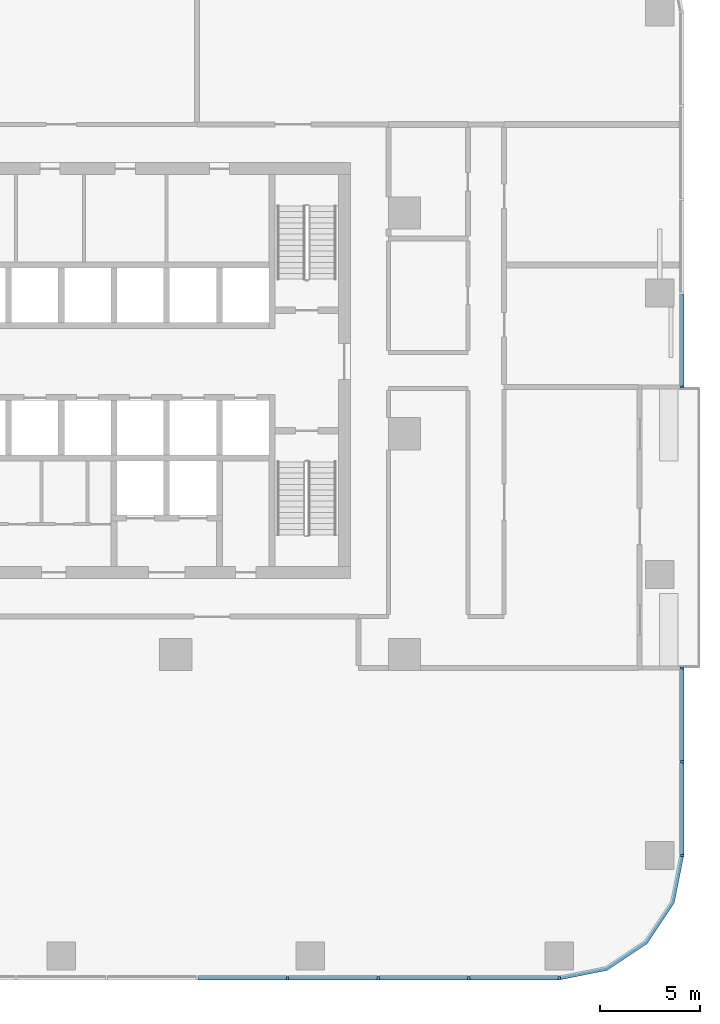
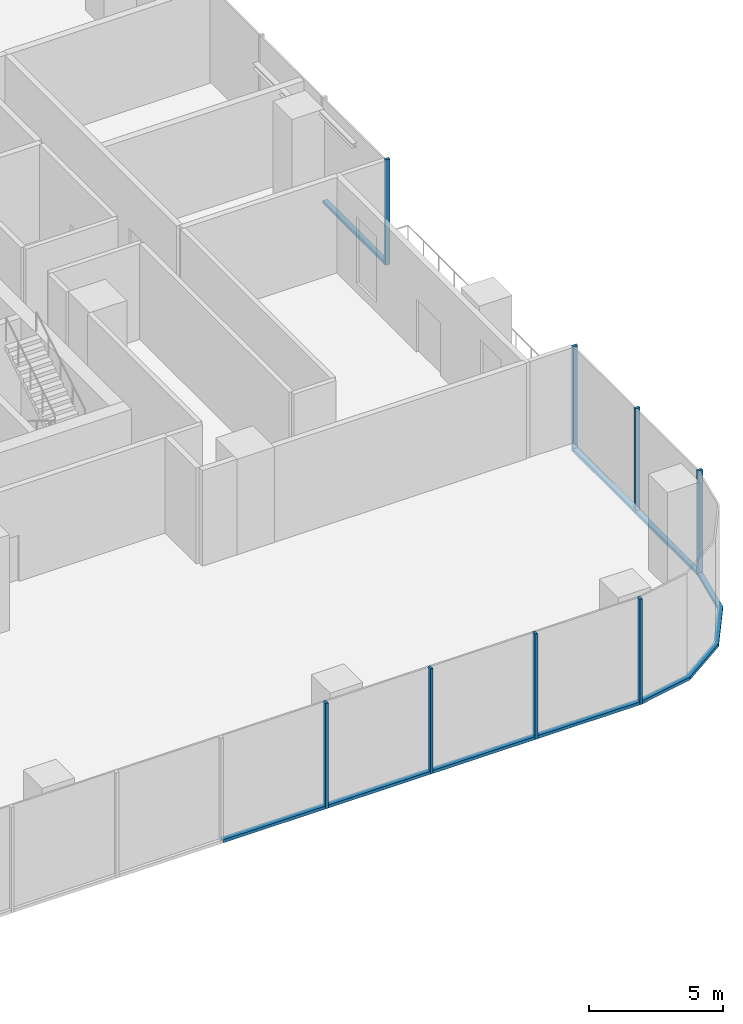
# One storey, part 3 of 14: 16 members, 4 elements without a shape of their own.
"""IFC4 building model written with IfcOpenShell, lengths in metres."""

import ifcopenshell
import ifcopenshell.guid

model = None  # the IFC model being written
_history = None  # IfcOwnerHistory: only IFC2X3 demands one
_inside = {}  # id of a spatial element -> (the spatial element, [elements in it])
_under = {}  # id of a project, library or spatial element -> (it, [spatial elements below it])
_declared = {}  # id of a project -> (the project, [libraries it declares])
_typed = {}  # id of a type object -> (the type object, [elements of that type])
_made_of = {}  # id of a material, layer set ... -> (it, [elements and type objects made of it])


def new_model(schema):
    """Start an empty IFC model of exactly this schema.

    Asked for "IFC4X3", IfcOpenShell would pick the latest addendum, in which some entities
    have other attributes; the version numbers below select the first issue.
    IFC2X3 requires an IfcOwnerHistory on every rooted entity: one is made here for all.
    """
    global model, _history
    if schema == "IFC4X3":
        model = ifcopenshell.file(schema_version=(4, 3, 0, 0))
    else:
        model = ifcopenshell.file(schema=schema)
    _inside.clear()
    _under.clear()
    _declared.clear()
    _typed.clear()
    _made_of.clear()
    _history = None
    if model.schema == "IFC2X3":
        org = make("IfcOrganization", Name="unknown")
        user = make(
            "IfcPersonAndOrganization",
            ThePerson=make("IfcPerson", FamilyName="unknown"),
            TheOrganization=org,
        )
        app = make(
            "IfcApplication",
            ApplicationDeveloper=org,
            Version="unknown",
            ApplicationFullName="unknown",
            ApplicationIdentifier="unknown",
        )
        _history = make(
            "IfcOwnerHistory",
            OwningUser=user,
            OwningApplication=app,
            ChangeAction="ADDED",
            CreationDate=0,
        )
    return model


def make(cls, **values):
    """One entity of the class cls with the attributes given. An attribute that is None is left unset."""
    return model.create_entity(
        cls, **{name: value for name, value in values.items() if value is not None}
    )


def rooted(cls, **values):
    """An entity with a GlobalId (a new one), such as an element, a storey or a relation."""
    return make(cls, GlobalId=ifcopenshell.guid.new(), OwnerHistory=_history, **values)


def si_unit(unit_type, name, prefix=None):
    """IfcSIUnit, for example si_unit("LENGTHUNIT", "METRE", prefix="MILLI")."""
    return make("IfcSIUnit", UnitType=unit_type, Prefix=prefix, Name=name)


def assignment(units):
    """IfcUnitAssignment: the units of a project."""
    return None if units is None else make("IfcUnitAssignment", Units=units)


def point(xyz):
    """IfcCartesianPoint."""
    return None if xyz is None else make("IfcCartesianPoint", Coordinates=xyz)


def direction(xyz):
    """IfcDirection."""
    return None if xyz is None else make("IfcDirection", DirectionRatios=xyz)


def frame(location, z_axis=None, x_axis=None):
    """IfcAxis2Placement3D, a coordinate frame: its origin and axes. An axis left out is left unset."""
    return make(
        "IfcAxis2Placement3D",
        Location=point(location),
        Axis=direction(z_axis),
        RefDirection=direction(x_axis),
    )


def frame_2d(location, x_axis=None):
    """IfcAxis2Placement2D, a coordinate frame in the plane: its origin and x axis."""
    return make(
        "IfcAxis2Placement2D", Location=point(location), RefDirection=direction(x_axis)
    )


def origin():
    """The frame at (0, 0, 0) with its axes left unset."""
    return frame((0.0, 0.0, 0.0))


def origin_2d():
    """The frame at (0, 0) in the plane with its x axis left unset."""
    return frame_2d((0.0, 0.0))


def place(relative_to, where):
    """IfcLocalPlacement: puts the frame where relative to a parent placement (None: the world)."""
    return make(
        "IfcLocalPlacement", PlacementRelTo=relative_to, RelativePlacement=where
    )


def context(
    kind, dimensions, precision=None, world=None, true_north=None, identifier=None
):
    """IfcGeometricRepresentationContext, for example the 3D "Model" context."""
    return make(
        "IfcGeometricRepresentationContext",
        ContextIdentifier=identifier,
        ContextType=kind,
        CoordinateSpaceDimension=dimensions,
        Precision=precision,
        WorldCoordinateSystem=world,
        TrueNorth=true_north,
    )


def subcontext(parent, identifier, kind, view, scale=None):
    """IfcGeometricRepresentationSubContext, for example "Body" below "Model"."""
    return make(
        "IfcGeometricRepresentationSubContext",
        ContextIdentifier=identifier,
        ContextType=kind,
        ParentContext=parent,
        TargetScale=scale,
        TargetView=view,
    )


def project(units=None, contexts=None):
    """IfcProject with its units and contexts."""
    return rooted(
        "IfcProject",
        Name="project",
        RepresentationContexts=contexts,
        UnitsInContext=assignment(units),
    )


def spatial(cls, under=None, at=None, **own):
    """A site, building, storey or space (cls), placed at a placement, below another one or the project."""
    s = rooted(cls, ObjectPlacement=at, **own)
    if under is not None:
        _under.setdefault(under.id(), (under, []))[1].append(s)
    return s


def polyline(points):
    """IfcPolyline through the points."""
    return make("IfcPolyline", Points=[point(p) for p in points])


def profile(cls, at=None, kind="AREA", **sizes):
    """A parametric profile (cls). Its sizes go by their IFC names, for example OverallWidth=200.0."""
    return make(cls, ProfileType=kind, Position=at, **sizes)


def rectangle(**sizes):
    """IfcRectangleProfileDef."""
    return profile("IfcRectangleProfileDef", **sizes)


def outline(outer, holes=None, kind="AREA"):
    """IfcArbitraryClosedProfileDef: a profile drawn as a closed curve; with holes, ...WithVoids."""
    if holes is None:
        return make("IfcArbitraryClosedProfileDef", ProfileType=kind, OuterCurve=outer)
    return make(
        "IfcArbitraryProfileDefWithVoids",
        ProfileType=kind,
        OuterCurve=outer,
        InnerCurves=holes,
    )


def extrude(swept, where, along, depth):
    """IfcExtrudedAreaSolid: the profile swept, set in the frame where, extruded along a direction by depth."""
    return make(
        "IfcExtrudedAreaSolid",
        SweptArea=swept,
        Position=where,
        ExtrudedDirection=direction(along),
        Depth=depth,
    )


def shape(context_of_items, identifier, shape_type, items):
    """IfcShapeRepresentation: the items that make up one representation, for example the "Body"."""
    return make(
        "IfcShapeRepresentation",
        ContextOfItems=context_of_items,
        RepresentationIdentifier=identifier,
        RepresentationType=shape_type,
        Items=items,
    )


def material(Name=None, Category=None):
    """IfcMaterial."""
    return make("IfcMaterial", Name=Name, Category=Category)


def material_profile(
    of_material, cross_section, Name=None, Category=None, Priority=None
):
    """IfcMaterialProfile: a cross section and its material."""
    return make(
        "IfcMaterialProfile",
        Name=Name,
        Material=of_material,
        Profile=cross_section,
        Priority=Priority,
        Category=Category,
    )


def profile_set(profiles, Name=None, composite=None):
    """IfcMaterialProfileSet."""
    return make(
        "IfcMaterialProfileSet",
        Name=Name,
        MaterialProfiles=profiles,
        CompositeProfile=composite,
    )


def made_of(thing, what):
    """Note that an element or type object is made of a material, layer set ...; save() writes the relation."""
    if what is not None:
        _made_of.setdefault(what.id(), (what, []))[1].append(thing)
    return thing


def type_object(cls, material=None, **own):
    """A type object (cls), such as IfcWallType, which elements share."""
    return made_of(rooted(cls, **own), material)


def element(
    cls,
    number,
    at=None,
    inside=None,
    cuts=None,
    type_object=None,
    material=None,
    context=None,
    identifier="Body",
    shape_type=None,
    held_by="IfcProductDefinitionShape",
    body=None,
    shapes=None,
    **own,
):
    """One element of the class cls, such as IfcWall. Its Tag is "e" and its number.

    at: its placement. inside: the storey or other place that contains it. cuts: it is an
    opening in that element (IfcRelVoidsElement). A single representation is given by context,
    identifier, shape_type and body (its items); several are given by shapes. held_by: the class
    of the entity that holds the representations. save() writes the other relations.
    """
    e = rooted(cls, Tag="e%d" % number, ObjectPlacement=at, **own)
    if body is not None:
        shapes = [shape(context, identifier, shape_type, body)]
    if shapes is not None:
        e.Representation = make(held_by, Representations=shapes)
    if inside is not None:
        _inside.setdefault(inside.id(), (inside, []))[1].append(e)
    if cuts is not None:
        rooted(
            "IfcRelVoidsElement", RelatingBuildingElement=cuts, RelatedOpeningElement=e
        )
    if type_object is not None:
        _typed.setdefault(type_object.id(), (type_object, []))[1].append(e)
    return made_of(e, material)


def aggregate(whole, parts):
    """IfcRelAggregates: a whole, such as a stair, and the parts it consists of."""
    return rooted("IfcRelAggregates", RelatingObject=whole, RelatedObjects=parts)


def save(model, path):
    """Write the relations noted so far, then the file.

    IfcRelAggregates (storeys below a building ...), IfcRelContainedInSpatialStructure (elements
    in a storey), IfcRelDefinesByType, IfcRelAssociatesMaterial and IfcRelDeclares: one each for
    every whole, place, type object, material and project.
    """
    for whole, parts in _under.values():
        aggregate(whole, parts)
    for where, things in _inside.values():
        rooted(
            "IfcRelContainedInSpatialStructure",
            RelatedElements=things,
            RelatingStructure=where,
        )
    for kind, things in _typed.values():
        rooted("IfcRelDefinesByType", RelatedObjects=things, RelatingType=kind)
    for what, things in _made_of.values():
        rooted("IfcRelAssociatesMaterial", RelatedObjects=things, RelatingMaterial=what)
    for by, libraries in _declared.values():
        rooted("IfcRelDeclares", RelatingContext=by, RelatedDefinitions=libraries)
    model.write(path)


model = new_model("IFC4")

# Units and contexts
model_context = context("Model", 3, precision=1e-05, world=origin(), true_north=direction((0.0, 1.0)))
body_context = subcontext(model_context, "Body", "Model", "MODEL_VIEW")
ifc_project = project(units=[si_unit("LENGTHUNIT", "METRE"), si_unit("AREAUNIT", "SQUARE_METRE"), si_unit("VOLUMEUNIT", "CUBIC_METRE"), si_unit("PLANEANGLEUNIT", "RADIAN"), si_unit("MASSUNIT", "GRAM", prefix="KILO")], contexts=[model_context])

# Site, building, storey
site_placement = place(None, origin())
site = spatial("IfcSite", under=ifc_project, at=site_placement, CompositionType="ELEMENT")
building_placement = place(site_placement, origin())
building = spatial("IfcBuilding", under=site, at=building_placement, Name="Mopane Tessera Tower", CompositionType="ELEMENT")
storey_placement = place(building_placement, frame((0.0, 0.0, 55.0)))
storey = spatial("IfcBuildingStorey", under=building, at=storey_placement, Name="L10", CompositionType="ELEMENT", Elevation=55.0)

# Curtain wall, members
ifc_material_1 = material(Name="Aluminium frame", Category="aluminium")
curtain_wall_type = type_object("IfcCurtainWallType", Name="Lower tower unitised wall", PredefinedType="NOTDEFINED", material=ifc_material_1)
curtain_wall_1_placement = place(storey_placement, origin())
curtain_wall_1 = element("IfcCurtainWall", 1, at=curtain_wall_1_placement, inside=storey, type_object=curtain_wall_type, Name="e:cw:L10:S:0", PredefinedType="NOTDEFINED")
ifc_material_2 = material(Name="Aluminium frame", Category="aluminium")
ifc_material_profile_1 = material_profile(ifc_material_2, rectangle(XDim=0.110107421875, YDim=0.199951171875, at=origin_2d()))
ifc_profile_set_1 = profile_set([ifc_material_profile_1], Name="Aluminium frame")
member_type_1 = type_object("IfcMemberType", Name="Aluminium mullion 110 x 200", PredefinedType="MULLION", material=ifc_profile_set_1)
member_1_placement = place(storey_placement, frame((11.272705078125, -27.10009765625, -0.449951171875), z_axis=(0.0, 0.0, 1.0), x_axis=(1.0, 0.0, 0.0)))
member_1 = element("IfcMember", 2, at=member_1_placement, type_object=member_type_1, Name="e:cw:L10:S:0:mu8", PredefinedType="MULLION", context=body_context, shape_type="SweptSolid", body=[
    extrude(rectangle(XDim=0.110107421875, YDim=0.199951171875, at=origin_2d()), origin(), (0.0, 0.0, 1.0), 4.800048828125),
])
member_2_placement = place(storey_placement, frame((15.78173828125, -27.10009765625, -0.449951171875), z_axis=(0.0, 0.0, 1.0), x_axis=(1.0, 0.0, 0.0)))
member_2 = element("IfcMember", 3, at=member_2_placement, type_object=member_type_1, Name="e:cw:L10:S:0:mu9", PredefinedType="MULLION", context=body_context, shape_type="SweptSolid", body=[
    extrude(rectangle(XDim=0.110107421875, YDim=0.199951171875, at=origin_2d()), origin(), (0.0, 0.0, 1.0), 4.800048828125),
])
member_3_placement = place(storey_placement, frame((20.291015625, -27.10009765625, -0.449951171875), z_axis=(0.0, 0.0, 1.0), x_axis=(1.0, 0.0, 0.0)))
member_3 = element("IfcMember", 4, at=member_3_placement, type_object=member_type_1, Name="e:cw:L10:S:0:mu10", PredefinedType="MULLION", context=body_context, shape_type="SweptSolid", body=[
    extrude(rectangle(XDim=0.110107421875, YDim=0.199951171875, at=origin_2d()), origin(), (0.0, 0.0, 1.0), 4.800048828125),
])
member_4_placement = place(storey_placement, frame((24.800048828125, -27.10009765625, -0.449951171875), z_axis=(0.0, 0.0, 1.0), x_axis=(1.0, 0.0, 0.0)))
member_4 = element("IfcMember", 5, at=member_4_placement, type_object=member_type_1, Name="e:cw:L10:S:0:mu11", PredefinedType="MULLION", context=body_context, shape_type="SweptSolid", body=[
    extrude(rectangle(XDim=0.110107421875, YDim=0.199951171875, at=origin_2d()), origin(), (0.0, 0.0, 1.0), 4.800048828125),
])

curtain_wall_2_placement = place(storey_placement, origin())
curtain_wall_2 = element("IfcCurtainWall", 6, at=curtain_wall_2_placement, inside=storey, type_object=curtain_wall_type, Name="e:cw:L10:E:0", PredefinedType="NOTDEFINED")
member_5_placement = place(storey_placement, frame((30.89990234375, -21.0, -0.449951171875), z_axis=(0.0, 0.0, 1.0), x_axis=(0.0, 1.0, 0.0)))
member_5 = element("IfcMember", 7, at=member_5_placement, type_object=member_type_1, Name="e:cw:L10:E:0:mu0", PredefinedType="MULLION", context=body_context, shape_type="SweptSolid", body=[
    extrude(rectangle(XDim=0.110107421875, YDim=0.199951171875, at=origin_2d()), origin(), (0.0, 0.0, 1.0), 4.800048828125),
])
member_6_placement = place(storey_placement, frame((30.89990234375, -16.333251953125, -0.449951171875), z_axis=(0.0, 0.0, 1.0), x_axis=(0.0, 1.0, 0.0)))
member_6 = element("IfcMember", 8, at=member_6_placement, type_object=member_type_1, Name="e:cw:L10:E:0:mu1", PredefinedType="MULLION", context=body_context, shape_type="SweptSolid", body=[
    extrude(rectangle(XDim=0.110107421875, YDim=0.199951171875, at=origin_2d()), origin(), (0.0, 0.0, 1.0), 4.800048828125),
])
member_7_placement = place(storey_placement, frame((30.89990234375, -11.666748046875, -0.449951171875), z_axis=(0.0, 0.0, 1.0), x_axis=(0.0, 1.0, 0.0)))
member_7 = element("IfcMember", 9, at=member_7_placement, type_object=member_type_1, Name="e:cw:L10:E:0:mu2", PredefinedType="MULLION", context=body_context, shape_type="SweptSolid", body=[
    extrude(rectangle(XDim=0.110107421875, YDim=0.199951171875, at=origin_2d()), origin(), (0.0, 0.0, 1.0), 4.800048828125),
])

# Curtain wall, member
curtain_wall_3_placement = place(storey_placement, origin())
curtain_wall_3 = element("IfcCurtainWall", 10, at=curtain_wall_3_placement, inside=storey, type_object=curtain_wall_type, Name="e:cw:L10:E:5", PredefinedType="NOTDEFINED")
member_8_placement = place(storey_placement, frame((30.89990234375, 2.333251953125, -0.449951171875), z_axis=(0.0, 0.0, 1.0), x_axis=(0.0, 1.0, 0.0)))
member_8 = element("IfcMember", 11, at=member_8_placement, type_object=member_type_1, Name="e:cw:L10:E:5:mu5", PredefinedType="MULLION", context=body_context, shape_type="SweptSolid", body=[
    extrude(rectangle(XDim=0.110107421875, YDim=0.199951171875, at=origin_2d()), origin(), (0.0, 0.0, 1.0), 4.800048828125),
])

# Member
ifc_material_3 = material(Name="Aluminium frame", Category="aluminium")
ifc_material_profile_2 = material_profile(ifc_material_3, rectangle(XDim=0.199951171875, YDim=0.139892578125, at=origin_2d()))
ifc_profile_set_2 = profile_set([ifc_material_profile_2], Name="Aluminium frame")
member_type_2 = type_object("IfcMemberType", Name="Aluminium transom 200 x 140", PredefinedType="USERDEFINED", material=ifc_profile_set_2)
member_9_placement = place(storey_placement, frame((6.818603515625, -27.10009765625, -0.3798828125), z_axis=(1.0, 0.0, 0.0), x_axis=(0.0, 1.0, 0.0)))
member_9 = element("IfcMember", 12, at=member_9_placement, type_object=member_type_2, Name="e:cw:L10:S:0:tr7", ObjectType="TRANSOM", PredefinedType="USERDEFINED", context=body_context, shape_type="SweptSolid", body=[
    extrude(rectangle(XDim=0.199951171875, YDim=0.139892578125, at=origin_2d()), origin(), (0.0, 0.0, 1.0), 4.399169921875),
])

member_10_placement = place(storey_placement, frame((11.32763671875, -27.10009765625, -0.3798828125), z_axis=(1.0, 0.0, 0.0), x_axis=(0.0, 1.0, 0.0)))
member_10 = element("IfcMember", 13, at=member_10_placement, type_object=member_type_2, Name="e:cw:L10:S:0:tr8", ObjectType="TRANSOM", PredefinedType="USERDEFINED", context=body_context, shape_type="SweptSolid", body=[
    extrude(rectangle(XDim=0.199951171875, YDim=0.139892578125, at=origin_2d()), origin(), (0.0, 0.0, 1.0), 4.399169921875),
])

member_11_placement = place(storey_placement, frame((15.8369140625, -27.10009765625, -0.3798828125), z_axis=(1.0, 0.0, 0.0), x_axis=(0.0, 1.0, 0.0)))
member_11 = element("IfcMember", 14, at=member_11_placement, type_object=member_type_2, Name="e:cw:L10:S:0:tr9", ObjectType="TRANSOM", PredefinedType="USERDEFINED", context=body_context, shape_type="SweptSolid", body=[
    extrude(rectangle(XDim=0.199951171875, YDim=0.139892578125, at=origin_2d()), origin(), (0.0, 0.0, 1.0), 4.39892578125),
])

member_12_placement = place(storey_placement, frame((20.345947265625, -27.10009765625, -0.3798828125), z_axis=(1.0, 0.0, 0.0), x_axis=(0.0, 1.0, 0.0)))
member_12 = element("IfcMember", 15, at=member_12_placement, type_object=member_type_2, Name="e:cw:L10:S:0:tr10", ObjectType="TRANSOM", PredefinedType="USERDEFINED", context=body_context, shape_type="SweptSolid", body=[
    extrude(rectangle(XDim=0.199951171875, YDim=0.139892578125, at=origin_2d()), origin(), (0.0, 0.0, 1.0), 4.399169921875),
])

aggregate(curtain_wall_1, [member_1, member_2, member_3, member_4, member_9, member_10, member_11, member_12])

# Curtain wall, member
curtain_wall_4_placement = place(storey_placement, origin())
curtain_wall_4 = element("IfcCurtainWall", 16, at=curtain_wall_4_placement, inside=storey, type_object=curtain_wall_type, Name="e:cw:L10:CS", PredefinedType="NOTDEFINED")
member_13_placement = place(storey_placement, frame((0.0, 0.0, -0.449951171875)))
member_13 = element("IfcMember", 17, at=member_13_placement, type_object=member_type_2, Name="e:cw:L10:CS:tr", ObjectType="TRANSOM", PredefinedType="USERDEFINED", context=body_context, shape_type="SweptSolid", body=[
    extrude(outline(polyline([(24.800048828125, -27.0), (27.09619140625, -26.543212890625), (29.042724609375, -25.24267578125), (30.34326171875, -23.296142578125), (30.800048828125, -21.0), (31.0, -21.0), (30.528076171875, -23.37255859375), (29.18408203125, -25.384033203125), (27.172607421875, -26.72802734375), (24.800048828125, -27.199951171875), (24.800048828125, -27.0)])), origin(), (0.0, 0.0, 1.0), 0.139892578125),
])
aggregate(curtain_wall_4, [member_13])

# Member
member_14_placement = place(storey_placement, frame((30.89990234375, -20.945068359375, -0.3798828125), z_axis=(0.0, 1.0, 0.0), x_axis=(-1.0, 0.0, 0.0)))
member_14 = element("IfcMember", 18, at=member_14_placement, type_object=member_type_2, Name="e:cw:L10:E:0:tr0", ObjectType="TRANSOM", PredefinedType="USERDEFINED", context=body_context, shape_type="SweptSolid", body=[
    extrude(rectangle(XDim=0.199951171875, YDim=0.139892578125, at=origin_2d()), origin(), (0.0, 0.0, 1.0), 4.556640625),
])

member_15_placement = place(storey_placement, frame((30.89990234375, -16.2783203125, -0.3798828125), z_axis=(0.0, 1.0, 0.0), x_axis=(-1.0, 0.0, 0.0)))
member_15 = element("IfcMember", 19, at=member_15_placement, type_object=member_type_2, Name="e:cw:L10:E:0:tr1", ObjectType="TRANSOM", PredefinedType="USERDEFINED", context=body_context, shape_type="SweptSolid", body=[
    extrude(rectangle(XDim=0.199951171875, YDim=0.139892578125, at=origin_2d()), origin(), (0.0, 0.0, 1.0), 4.556640625),
])

aggregate(curtain_wall_2, [member_5, member_6, member_7, member_14, member_15])

member_16_placement = place(storey_placement, frame((30.89990234375, 2.388427734375, -0.3798828125), z_axis=(0.0, 1.0, 0.0), x_axis=(-1.0, 0.0, 0.0)))
member_16 = element("IfcMember", 20, at=member_16_placement, type_object=member_type_2, Name="e:cw:L10:E:5:tr5", ObjectType="TRANSOM", PredefinedType="USERDEFINED", context=body_context, shape_type="SweptSolid", body=[
    extrude(rectangle(XDim=0.199951171875, YDim=0.139892578125, at=origin_2d()), origin(), (0.0, 0.0, 1.0), 4.556640625),
])

aggregate(curtain_wall_3, [member_8, member_16])

save(model, "model.ifc")
